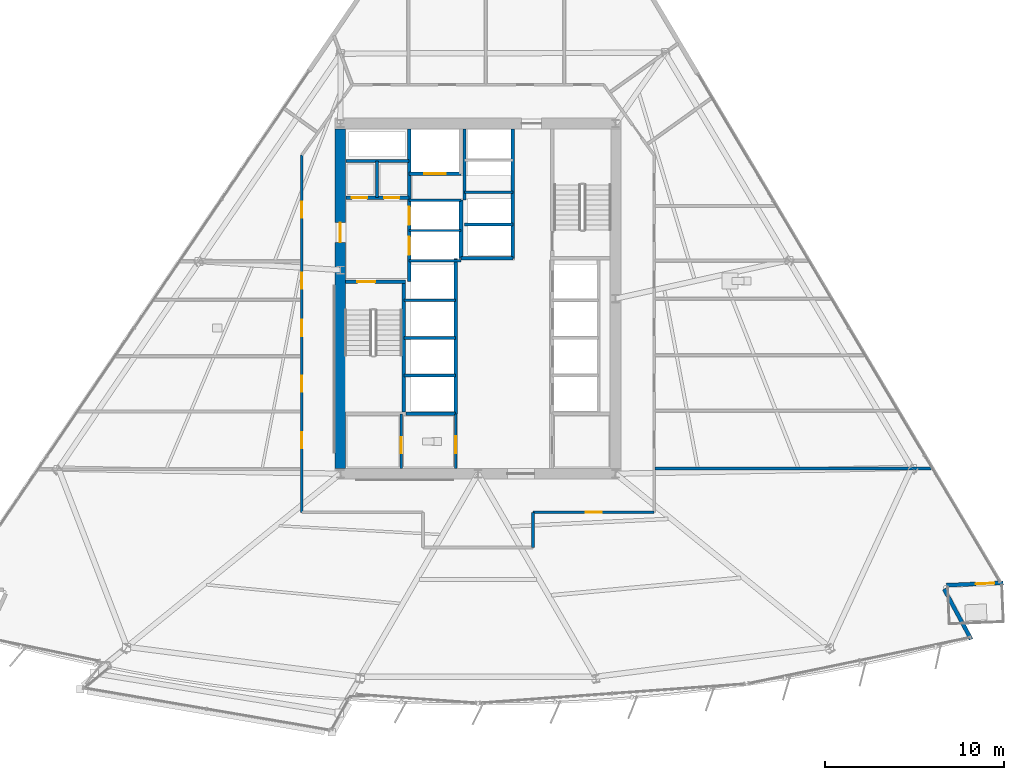
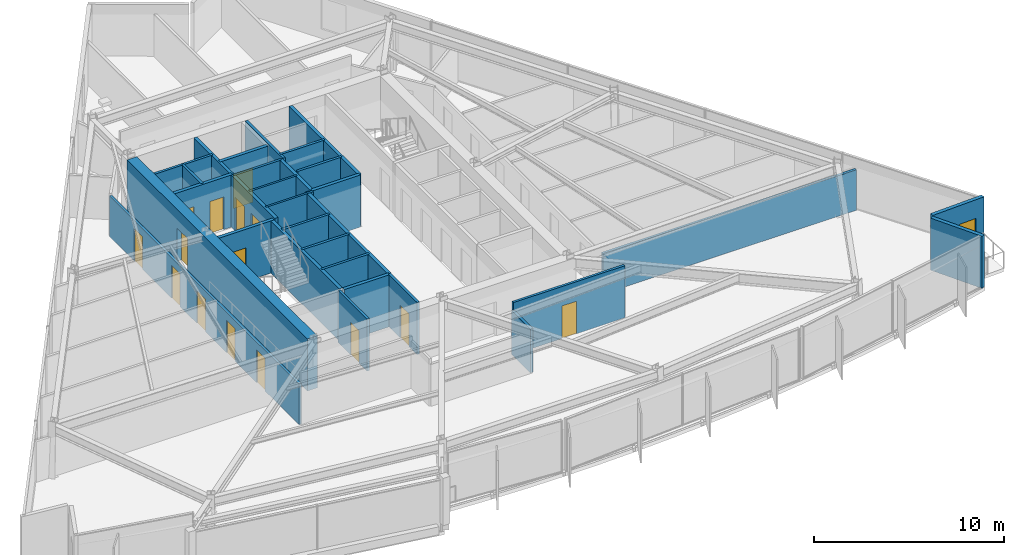
# One storey, part 9 of 17: 30 walls, 16 doors, 16 openings.
"""IFC4 building model written with IfcOpenShell, lengths in metres."""

from ifc_helpers import new_model, si_unit, direction, frame, frame_2d, origin, place, context, subcontext, project, spatial, rectangle, extrude, material, layer, layer_set, type_object, element, fill, save


model = new_model("IFC4")

# Units and contexts
model_context = context("Model", 3, precision=1e-05, world=origin(), true_north=direction((0.0, 1.0)))
body_context = subcontext(model_context, "Body", "Model", "MODEL_VIEW")
ifc_project = project(units=[si_unit("LENGTHUNIT", "METRE"), si_unit("AREAUNIT", "SQUARE_METRE"), si_unit("VOLUMEUNIT", "CUBIC_METRE"), si_unit("PLANEANGLEUNIT", "RADIAN"), si_unit("MASSUNIT", "GRAM", prefix="KILO")], contexts=[model_context])

# Site, building, storey
site_placement = place(None, origin())
site = spatial("IfcSite", under=ifc_project, at=site_placement, CompositionType="ELEMENT")
building_placement = place(site_placement, origin())
building = spatial("IfcBuilding", under=site, at=building_placement, Name="Savorim Split Tower", CompositionType="ELEMENT")
storey_placement = place(building_placement, frame((0.0, 0.0, 58.800048828125)))
storey = spatial("IfcBuildingStorey", under=building, at=storey_placement, Name="L15", CompositionType="ELEMENT", Elevation=58.800048828125)

# Wall, opening, door
ifc_material_1 = material(Name="Concrete C60/75", Category="concrete")
ifc_layer_1 = layer(ifc_material_1, 0.60009765625)
ifc_layer_set_1 = layer_set([ifc_layer_1], Name="WAL-COR-SH600")
wall_type_1 = type_object("IfcWallType", Name="WAL-COR-SH600", PredefinedType="SHEAR", material=ifc_layer_set_1)
wall_1_placement = place(storey_placement, frame((-7.699951171875, -9.10009765625, 0.0), z_axis=(0.0, 0.0, 1.0), x_axis=(0.0, 1.0, 0.0)))
wall_1 = element("IfcWall", 1, at=wall_1_placement, inside=storey, type_object=wall_type_1, Name="L15 Offset Core West Shear Wall", PredefinedType="SHEAR", context=body_context, shape_type="SweptSolid", body=[
    extrude(rectangle(XDim=19.0, YDim=0.60009765625, at=frame_2d((9.5, 0.0))), origin(), (0.0, 0.0, 1.0), 3.349853515625),
])
opening_1_placement = place(wall_1_placement, frame((12.64990234375, 0.0, 0.0)))
opening_1 = element("IfcOpeningElement", 2, at=opening_1_placement, cuts=wall_1, Name="Opening DI-03", PredefinedType="OPENING", context=body_context, shape_type="SweptSolid", body=[
    extrude(rectangle(XDim=1.10009765625, YDim=2.14990234375, at=frame_2d((0.550048828125, 1.074951171875))), frame((0.0, 0.31005859375, 0.0), z_axis=(0.0, -1.0, 0.0), x_axis=(1.0, 0.0, 0.0)), (0.0, 0.0, 1.0), 0.6201171875),
])
ifc_material_2 = material(Name="Timber Fire Door Leaf", Category="wood")
door_type_1 = type_object("IfcDoorType", Name="DOR-FIR-1100", OperationType="NOTDEFINED", PredefinedType="DOOR", material=ifc_material_2)
door_1_placement = place(opening_1_placement, origin())
door_1 = element("IfcDoor", 3, at=door_1_placement, inside=storey, type_object=door_type_1, Name="DOR-L15-COR-FFLOB - L15 Firefighting Lobby Corridor Door", OperationType="SINGLE_SWING_LEFT", OverallHeight=2.14990234375, OverallWidth=1.10009765625, PredefinedType="DOOR", context=body_context, shape_type="SweptSolid", body=[
    extrude(rectangle(XDim=1.10009765625, YDim=2.14990234375, at=frame_2d((0.550048828125, 1.074951171875))), frame((0.0, 0.02490234375, 0.0), z_axis=(0.0, -1.0, 0.0), x_axis=(1.0, 0.0, 0.0)), (0.0, 0.0, 1.0), 0.050048828125),
])
fill(opening_1, door_1)

# Wall
ifc_material_3 = material(Name="Precast concrete C40/50", Category="concrete")
ifc_layer_2 = layer(ifc_material_3, 0.219970703125)
ifc_layer_set_2 = layer_set([ifc_layer_2], Name="WAL-EXT-CRN220")
wall_type_2 = type_object("IfcWallType", Name="WAL-EXT-CRN220", PredefinedType="SOLIDWALL", material=ifc_layer_set_2)
wall_2_placement = place(storey_placement, frame((26.085693359375, -15.852294921875, 0.0), z_axis=(0.0, 0.0, 1.0), x_axis=(0.472775670204, -0.881182821929, 0.0)))
element("IfcWall", 4, at=wall_2_placement, inside=storey, type_object=wall_type_2, Name="L15 Notched Corner Facade Wall SE1", PredefinedType="SOLIDWALL", context=body_context, shape_type="SweptSolid", body=[
    extrude(rectangle(XDim=3.189697265625, YDim=0.219970703125, at=frame_2d((1.5947265625, 0.0))), origin(), (0.0, 0.0, 1.0), 3.349853515625),
])

# Wall, opening, door
wall_3_placement = place(storey_placement, frame((29.39111328125, -15.50341796875, 0.0), z_axis=(0.0, 0.0, 1.0), x_axis=(-0.999095632957, -0.042519597906, 0.0)))
wall_3 = element("IfcWall", 5, at=wall_3_placement, inside=storey, type_object=wall_type_2, Name="L15 Notched Corner Facade Wall SE", PredefinedType="SOLIDWALL", context=body_context, shape_type="SweptSolid", body=[
    extrude(rectangle(XDim=3.186767578125, YDim=0.219970703125, at=frame_2d((1.59326171875, 0.0))), origin(), (0.0, 0.0, 1.0), 3.349853515625),
])
opening_2_placement = place(wall_3_placement, frame((0.48828125, 0.0, 0.0)))
opening_2 = element("IfcOpeningElement", 6, at=opening_2_placement, cuts=wall_3, Name="Opening DB-01", PredefinedType="OPENING", context=body_context, shape_type="SweptSolid", body=[
    extrude(rectangle(XDim=1.050048828125, YDim=2.14990234375, at=frame_2d((0.52490234375, 1.074951171875))), frame((0.0, 0.119873046875, 0.0), z_axis=(0.0, -1.0, 0.0), x_axis=(1.0, 0.0, 0.0)), (0.0, 0.0, 1.0), 0.239990234375),
])
ifc_material_4 = material(Name="Charcoal Anodised Aluminium", Category="aluminium")
door_type_2 = type_object("IfcDoorType", Name="DOR-BAL-1050", OperationType="NOTDEFINED", PredefinedType="DOOR", material=ifc_material_4)
door_2_placement = place(opening_2_placement, origin())
door_2 = element("IfcDoor", 7, at=door_2_placement, inside=storey, type_object=door_type_2, Name="DOR-L15-TBAL-SE - L15 Planted Tree Balcony Door SE", OperationType="SINGLE_SWING_RIGHT", OverallHeight=2.14990234375, OverallWidth=1.050048828125, PredefinedType="DOOR", context=body_context, shape_type="SweptSolid", body=[
    extrude(rectangle(XDim=1.050048828125, YDim=2.14990234375, at=frame_2d((0.52490234375, 1.074951171875))), frame((0.0, 0.02490234375, 0.0), z_axis=(0.0, -1.0, 0.0), x_axis=(1.0, 0.0, 0.0)), (0.0, 0.0, 1.0), 0.050048828125),
])
fill(opening_2, door_2)

ifc_material_5 = material(Name="Concrete C50/60", Category="concrete")
ifc_layer_3 = layer(ifc_material_5, 0.199951171875)
ifc_layer_set_3 = layer_set([ifc_layer_3], Name="WAL-INT-RC200")
wall_type_3 = type_object("IfcWallType", Name="WAL-INT-RC200", PredefinedType="SOLIDWALL", material=ifc_layer_set_3)
wall_4_placement = place(storey_placement, frame((-7.39990234375, 1.35009765625, 0.0), z_axis=(0.0, 0.0, 1.0), x_axis=(1.0, 0.0, 0.0)))
wall_4 = element("IfcWall", 8, at=wall_4_placement, inside=storey, type_object=wall_type_3, Name="L15 Structural Shaft Wall W-L15-CR01", PredefinedType="SOLIDWALL", context=body_context, shape_type="SweptSolid", body=[
    extrude(rectangle(XDim=3.349853515625, YDim=0.199951171875, at=frame_2d((1.6748046875, 0.0))), origin(), (0.0, 0.0, 1.0), 3.349853515625),
])
opening_3_placement = place(wall_4_placement, frame((0.64990234375, 0.0, 0.0)))
opening_3 = element("IfcOpeningElement", 9, at=opening_3_placement, cuts=wall_4, Name="Opening DI-04", PredefinedType="OPENING", context=body_context, shape_type="SweptSolid", body=[
    extrude(rectangle(XDim=1.0, YDim=2.14990234375, at=frame_2d((0.5, 1.074951171875))), frame((0.0, 0.10986328125, 0.0), z_axis=(0.0, -1.0, 0.0), x_axis=(1.0, 0.0, 0.0)), (0.0, 0.0, 1.0), 0.219970703125),
])
door_type_3 = type_object("IfcDoorType", Name="DOR-FIR-1000", OperationType="NOTDEFINED", PredefinedType="DOOR", material=ifc_material_2)
door_3_placement = place(opening_3_placement, origin())
door_3 = element("IfcDoor", 10, at=door_3_placement, inside=storey, type_object=door_type_3, Name="DR-L15-ST1 - L15 Stair ST-1 Enclosure Door", OperationType="SINGLE_SWING_LEFT", OverallHeight=2.14990234375, OverallWidth=1.0, PredefinedType="DOOR", context=body_context, shape_type="SweptSolid", body=[
    extrude(rectangle(XDim=1.0, YDim=2.14990234375, at=frame_2d((0.5, 1.074951171875))), frame((0.0, 0.02490234375, 0.0), z_axis=(0.0, -1.0, 0.0), x_axis=(1.0, 0.0, 0.0)), (0.0, 0.0, 1.0), 0.050048828125),
])
fill(opening_3, door_3)

# Wall
wall_5_placement = place(storey_placement, frame((-4.14990234375, -5.949951171875, 0.0), z_axis=(0.0, 0.0, 1.0), x_axis=(0.0, 1.0, 0.0)))
element("IfcWall", 11, at=wall_5_placement, inside=storey, type_object=wall_type_3, Name="L15 Structural Shaft Wall W-L15-CR02", PredefinedType="SOLIDWALL", context=body_context, shape_type="SweptSolid", body=[
    extrude(rectangle(XDim=7.199951171875, YDim=0.199951171875, at=frame_2d((3.60009765625, 0.0))), origin(), (0.0, 0.0, 1.0), 3.349853515625),
])

# Wall, openings, doors
wall_6_placement = place(storey_placement, frame((-3.85009765625, 1.35009765625, 0.0), z_axis=(0.0, 0.0, 1.0), x_axis=(0.0, 1.0, 0.0)))
wall_6 = element("IfcWall", 12, at=wall_6_placement, inside=storey, type_object=wall_type_3, Name="L15 Partition W-L15-CR03", PredefinedType="SOLIDWALL", context=body_context, shape_type="SweptSolid", body=[
    extrude(rectangle(XDim=8.544921875, YDim=0.199951171875, at=frame_2d((4.2724609375, 0.0))), origin(), (0.0, 0.0, 1.0), 3.349853515625),
])
opening_4_placement = place(wall_6_placement, frame((1.5, 0.0, 0.0)))
opening_4 = element("IfcOpeningElement", 13, at=opening_4_placement, cuts=wall_6, Name="Opening LD-FFL", PredefinedType="OPENING", context=body_context, shape_type="SweptSolid", body=[
    extrude(rectangle(XDim=1.0, YDim=2.14990234375, at=frame_2d((0.5, 1.074951171875))), frame((0.0, 0.10986328125, 0.0), z_axis=(0.0, -1.0, 0.0), x_axis=(1.0, 0.0, 0.0)), (0.0, 0.0, 1.0), 0.219970703125),
])
opening_5_placement = place(wall_6_placement, frame((3.179931640625, 0.0, 0.0)))
opening_5 = element("IfcOpeningElement", 14, at=opening_5_placement, cuts=wall_6, Name="Opening LD-FFL", PredefinedType="OPENING", context=body_context, shape_type="SweptSolid", body=[
    extrude(rectangle(XDim=1.0, YDim=2.14990234375, at=frame_2d((0.5, 1.074951171875))), frame((0.0, 0.10986328125, 0.0), z_axis=(0.0, -1.0, 0.0), x_axis=(1.0, 0.0, 0.0)), (0.0, 0.0, 1.0), 0.219970703125),
])
door_type_4 = type_object("IfcDoorType", Name="DOR-SLD-LD1000", OperationType="NOTDEFINED", PredefinedType="DOOR", material=ifc_material_4)
door_4_placement = place(opening_4_placement, origin())
door_4 = element("IfcDoor", 15, at=door_4_placement, inside=storey, type_object=door_type_4, Name="DR-L15-LD-FFL1 - L15 Firefighting Lift FFL-1 Sliding Landing Door", OperationType="DOUBLE_DOOR_SLIDING", OverallHeight=2.14990234375, OverallWidth=1.0, PredefinedType="DOOR", context=body_context, shape_type="SweptSolid", body=[
    extrude(rectangle(XDim=1.0, YDim=2.14990234375, at=frame_2d((0.5, 1.074951171875))), frame((0.0, 0.02490234375, 0.0), z_axis=(0.0, -1.0, 0.0), x_axis=(1.0, 0.0, 0.0)), (0.0, 0.0, 1.0), 0.050048828125),
])
fill(opening_4, door_4)
door_5_placement = place(opening_5_placement, origin())
door_5 = element("IfcDoor", 16, at=door_5_placement, inside=storey, type_object=door_type_4, Name="DR-L15-LD-FFL2 - L15 Firefighting Lift FFL-2 Sliding Landing Door", OperationType="DOUBLE_DOOR_SLIDING", OverallHeight=2.14990234375, OverallWidth=1.0, PredefinedType="DOOR", context=body_context, shape_type="SweptSolid", body=[
    extrude(rectangle(XDim=1.0, YDim=2.14990234375, at=frame_2d((0.5, 1.074951171875))), frame((0.0, 0.02490234375, 0.0), z_axis=(0.0, -1.0, 0.0), x_axis=(1.0, 0.0, 0.0)), (0.0, 0.0, 1.0), 0.050048828125),
])
fill(opening_5, door_5)

wall_7_placement = place(storey_placement, frame((-7.39501953125, 6.050048828125, 0.0), z_axis=(0.0, 0.0, 1.0), x_axis=(1.0, 0.0, 0.0)))
wall_7 = element("IfcWall", 17, at=wall_7_placement, inside=storey, type_object=wall_type_3, Name="L15 Partition W-L15-CR04", PredefinedType="SOLIDWALL", context=body_context, shape_type="SweptSolid", body=[
    extrude(rectangle(XDim=3.544921875, YDim=0.199951171875, at=frame_2d((1.7724609375, 0.0))), origin(), (0.0, 0.0, 1.0), 3.349853515625),
])
opening_6_placement = place(wall_7_placement, frame((0.344970703125, 0.0, 0.0)))
opening_6 = element("IfcOpeningElement", 18, at=opening_6_placement, cuts=wall_7, Name="Opening DI-12", PredefinedType="OPENING", context=body_context, shape_type="SweptSolid", body=[
    extrude(rectangle(XDim=0.85009765625, YDim=2.10009765625, at=frame_2d((0.425048828125, 1.050048828125))), frame((0.0, 0.10986328125, 0.0), z_axis=(0.0, -1.0, 0.0), x_axis=(1.0, 0.0, 0.0)), (0.0, 0.0, 1.0), 0.219970703125),
])
opening_7_placement = place(wall_7_placement, frame((2.14501953125, 0.0, 0.0)))
opening_7 = element("IfcOpeningElement", 19, at=opening_7_placement, cuts=wall_7, Name="Opening DI-12", PredefinedType="OPENING", context=body_context, shape_type="SweptSolid", body=[
    extrude(rectangle(XDim=0.85009765625, YDim=2.10009765625, at=frame_2d((0.425048828125, 1.050048828125))), frame((0.0, 0.10986328125, 0.0), z_axis=(0.0, -1.0, 0.0), x_axis=(1.0, 0.0, 0.0)), (0.0, 0.0, 1.0), 0.219970703125),
])
ifc_material_6 = material(Name="Galvanised Painted Steel Balustrade", Category="steel")
door_type_5 = type_object("IfcDoorType", Name="DOR-RIS-850", OperationType="NOTDEFINED", PredefinedType="DOOR", material=ifc_material_6)
door_6_placement = place(opening_6_placement, origin())
door_6 = element("IfcDoor", 20, at=door_6_placement, inside=storey, type_object=door_type_5, Name="DR-L15-ELR - L15 Electrical Riser Access Door", OperationType="SINGLE_SWING_RIGHT", OverallHeight=2.10009765625, OverallWidth=0.85009765625, PredefinedType="DOOR", context=body_context, shape_type="SweptSolid", body=[
    extrude(rectangle(XDim=0.85009765625, YDim=2.10009765625, at=frame_2d((0.425048828125, 1.050048828125))), frame((0.0, 0.02490234375, 0.0), z_axis=(0.0, -1.0, 0.0), x_axis=(1.0, 0.0, 0.0)), (0.0, 0.0, 1.0), 0.050048828125),
])
fill(opening_6, door_6)
door_7_placement = place(opening_7_placement, origin())
door_7 = element("IfcDoor", 21, at=door_7_placement, inside=storey, type_object=door_type_5, Name="DR-L15-TLR - L15 Telecom Riser Access Door", OperationType="SINGLE_SWING_LEFT", OverallHeight=2.10009765625, OverallWidth=0.85009765625, PredefinedType="DOOR", context=body_context, shape_type="SweptSolid", body=[
    extrude(rectangle(XDim=0.85009765625, YDim=2.10009765625, at=frame_2d((0.425048828125, 1.050048828125))), frame((0.0, 0.02490234375, 0.0), z_axis=(0.0, -1.0, 0.0), x_axis=(1.0, 0.0, 0.0)), (0.0, 0.0, 1.0), 0.050048828125),
])
fill(opening_7, door_7)

# Wall
wall_8_placement = place(storey_placement, frame((-0.949951171875, 2.64990234375, 0.0), z_axis=(0.0, 0.0, 1.0), x_axis=(0.0, 1.0, 0.0)))
element("IfcWall", 22, at=wall_8_placement, inside=storey, type_object=wall_type_3, Name="L15 Partition W-L15-FFLW", PredefinedType="SOLIDWALL", context=body_context, shape_type="SweptSolid", body=[
    extrude(rectangle(XDim=3.27001953125, YDim=0.199951171875, at=frame_2d((1.635009765625, 0.0))), origin(), (0.0, 0.0, 1.0), 3.349853515625),
])

# Wall, opening, door
wall_9_placement = place(storey_placement, frame((-3.85009765625, 7.3798828125, 0.0), z_axis=(0.0, 0.0, 1.0), x_axis=(1.0, 0.0, 0.0)))
wall_9 = element("IfcWall", 23, at=wall_9_placement, inside=storey, type_object=wall_type_3, Name="L15 Partition W-L15-SVLS", PredefinedType="SOLIDWALL", context=body_context, shape_type="SweptSolid", body=[
    extrude(rectangle(XDim=2.900146484375, YDim=0.199951171875, at=frame_2d((1.4501953125, 0.0))), origin(), (0.0, 0.0, 1.0), 3.349853515625),
])
opening_8_placement = place(wall_9_placement, frame((0.85009765625, 0.0, 0.0)))
opening_8 = element("IfcOpeningElement", 24, at=opening_8_placement, cuts=wall_9, Name="Opening LD-SV", PredefinedType="OPENING", context=body_context, shape_type="SweptSolid", body=[
    extrude(rectangle(XDim=1.199951171875, YDim=2.199951171875, at=frame_2d((0.60009765625, 1.10009765625))), frame((0.0, 0.10986328125, 0.0), z_axis=(0.0, -1.0, 0.0), x_axis=(1.0, 0.0, 0.0)), (0.0, 0.0, 1.0), 0.219970703125),
])
door_type_6 = type_object("IfcDoorType", Name="DOR-SLD-SV1200", OperationType="NOTDEFINED", PredefinedType="DOOR", material=ifc_material_4)
door_8_placement = place(opening_8_placement, origin())
door_8 = element("IfcDoor", 25, at=door_8_placement, inside=storey, type_object=door_type_6, Name="DR-L15-LD-SVL1 - L15 Service Lift SVL-1 Sliding Landing Door", OperationType="DOUBLE_DOOR_SLIDING", OverallHeight=2.199951171875, OverallWidth=1.199951171875, PredefinedType="DOOR", context=body_context, shape_type="SweptSolid", body=[
    extrude(rectangle(XDim=1.199951171875, YDim=2.199951171875, at=frame_2d((0.60009765625, 1.10009765625))), frame((0.0, 0.02490234375, 0.0), z_axis=(0.0, -1.0, 0.0), x_axis=(1.0, 0.0, 0.0)), (0.0, 0.0, 1.0), 0.050048828125),
])
fill(opening_8, door_8)

# Walls
wall_10_placement = place(storey_placement, frame((-1.25, -6.050048828125, 0.0), z_axis=(0.0, 0.0, 1.0), x_axis=(0.0, 1.0, 0.0)))
element("IfcWall", 26, at=wall_10_placement, inside=storey, type_object=wall_type_3, Name="L15 Partition W-L15-B2FRONT", PredefinedType="SOLIDWALL", context=body_context, shape_type="SweptSolid", body=[
    extrude(rectangle(XDim=8.699951171875, YDim=0.199951171875, at=frame_2d((4.35009765625, 0.0))), origin(), (0.0, 0.0, 1.0), 3.349853515625),
])
wall_11_placement = place(storey_placement, frame((1.949951171875, 2.64990234375, 0.0), z_axis=(0.0, 0.0, 1.0), x_axis=(0.0, 1.0, 0.0)))
element("IfcWall", 27, at=wall_11_placement, inside=storey, type_object=wall_type_3, Name="L15 Partition W-L15-B3FRONT", PredefinedType="SOLIDWALL", context=body_context, shape_type="SweptSolid", body=[
    extrude(rectangle(XDim=7.2451171875, YDim=0.199951171875, at=frame_2d((3.62255859375, 0.0))), origin(), (0.0, 0.0, 1.0), 3.349853515625),
])
wall_12_placement = place(storey_placement, frame((-0.949951171875, 2.64990234375, 0.0), z_axis=(0.0, 0.0, 1.0), x_axis=(1.0, 0.0, 0.0)))
element("IfcWall", 28, at=wall_12_placement, inside=storey, type_object=wall_type_3, Name="L15 Partition W-L15-B3SOUTH", PredefinedType="SOLIDWALL", context=body_context, shape_type="SweptSolid", body=[
    extrude(rectangle(XDim=2.89990234375, YDim=0.199951171875, at=frame_2d((1.449951171875, 0.0))), origin(), (0.0, 0.0, 1.0), 3.349853515625),
])
wall_13_placement = place(storey_placement, frame((-4.0400390625, -6.050048828125, 0.0), z_axis=(0.0, 0.0, 1.0), x_axis=(1.0, 0.0, 0.0)))
element("IfcWall", 29, at=wall_13_placement, inside=storey, type_object=wall_type_3, Name="L15 Partition W-L15-KSEP-W2", PredefinedType="SOLIDWALL", context=body_context, shape_type="SweptSolid", body=[
    extrude(rectangle(XDim=2.7900390625, YDim=0.199951171875, at=frame_2d((1.39501953125, 0.0))), origin(), (0.0, 0.0, 1.0), 3.349853515625),
])
ifc_material_7 = material(Name="Acoustic Gypsum Partition Board")
ifc_layer_4 = layer(ifc_material_7, 0.1201171875)
ifc_layer_set_4 = layer_set([ifc_layer_4], Name="WAL-PAR-120")
wall_type_4 = type_object("IfcWallType", Name="WAL-PAR-120", PredefinedType="PARTITIONING", material=ifc_layer_set_4)
for number, where, z_axis, x_axis, name in (
    (30, (-3.85009765625, 2.52001953125, 0.0), (0.0, 0.0, 1.0), (1.0, 0.0, 0.0), "L15 Partition W-L15-FFLD0"),
    (31, (-3.85009765625, 4.219970703125, 0.0), (0.0, 0.0, 1.0), (1.0, 0.0, 0.0), "L15 Partition W-L15-FFLD1"),
):
    element("IfcWall", number, at=place(storey_placement, frame(where, z_axis=z_axis, x_axis=x_axis)), inside=storey, type_object=wall_type_4, Name=name, PredefinedType="PARTITIONING", context=body_context, shape_type="SweptSolid", body=[
        extrude(rectangle(XDim=2.900146484375, YDim=0.1201171875, at=frame_2d((1.4501953125, 0.0))), origin(), (0.0, 0.0, 1.0), 3.349853515625),
    ])
ifc_layer_5 = layer(ifc_material_7, 0.14990234375)
ifc_layer_set_5 = layer_set([ifc_layer_5], Name="WAL-PAR-150")
wall_type_5 = type_object("IfcWallType", Name="WAL-PAR-150", PredefinedType="PARTITIONING", material=ifc_layer_set_5)
wall_14_placement = place(storey_placement, frame((-7.39501953125, 8.10009765625, 0.0), z_axis=(0.0, 0.0, 1.0), x_axis=(1.0, 0.0, 0.0)))
element("IfcWall", 32, at=wall_14_placement, inside=storey, type_object=wall_type_5, Name="L15 Partition W-L15-CR05", PredefinedType="PARTITIONING", context=body_context, shape_type="SweptSolid", body=[
    extrude(rectangle(XDim=3.544921875, YDim=0.14990234375, at=frame_2d((1.7724609375, 0.0))), origin(), (0.0, 0.0, 1.0), 3.349853515625),
])
wall_15_placement = place(storey_placement, frame((-5.64990234375, 6.050048828125, 0.0), z_axis=(0.0, 0.0, 1.0), x_axis=(0.0, 1.0, 0.0)))
element("IfcWall", 33, at=wall_15_placement, inside=storey, type_object=wall_type_5, Name="L15 Partition W-L15-CR06", PredefinedType="PARTITIONING", context=body_context, shape_type="SweptSolid", body=[
    extrude(rectangle(XDim=2.050048828125, YDim=0.14990234375, at=frame_2d((1.02490234375, 0.0))), origin(), (0.0, 0.0, 1.0), 3.349853515625),
])
wall_16_placement = place(storey_placement, frame((-3.85009765625, 5.89990234375, 0.0), z_axis=(0.0, 0.0, 1.0), x_axis=(1.0, 0.0, 0.0)))
element("IfcWall", 34, at=wall_16_placement, inside=storey, type_object=wall_type_5, Name="L15 Partition W-L15-FFLD2", PredefinedType="PARTITIONING", context=body_context, shape_type="SweptSolid", body=[
    extrude(rectangle(XDim=2.900146484375, YDim=0.14990234375, at=frame_2d((1.4501953125, 0.0))), origin(), (0.0, 0.0, 1.0), 3.349853515625),
])
for number, where, z_axis, x_axis, name in (
    (35, (-4.14990234375, -3.89990234375, 0.0), (0.0, 0.0, 1.0), (1.0, 0.0, 0.0), "L15 Partition W-L15-B2DIV1"),
    (36, (-4.14990234375, -1.800048828125, 0.0), (0.0, 0.0, 1.0), (1.0, 0.0, 0.0), "L15 Partition W-L15-B2DIV2"),
    (37, (-4.14990234375, 0.300048828125, 0.0), (0.0, 0.0, 1.0), (1.0, 0.0, 0.0), "L15 Partition W-L15-B2DIV3"),
):
    element("IfcWall", number, at=place(storey_placement, frame(where, z_axis=z_axis, x_axis=x_axis)), inside=storey, type_object=wall_type_5, Name=name, PredefinedType="PARTITIONING", context=body_context, shape_type="SweptSolid", body=[
        extrude(rectangle(XDim=2.89990234375, YDim=0.14990234375, at=frame_2d((1.449951171875, 0.0))), origin(), (0.0, 0.0, 1.0), 3.349853515625),
    ])
wall_17_placement = place(storey_placement, frame((-0.75, 5.919921875, 0.0), z_axis=(0.0, 0.0, 1.0), x_axis=(0.0, 1.0, 0.0)))
element("IfcWall", 38, at=wall_17_placement, inside=storey, type_object=wall_type_5, Name="L15 Partition W-L15-B3WEST", PredefinedType="PARTITIONING", context=body_context, shape_type="SweptSolid", body=[
    extrude(rectangle(XDim=3.97509765625, YDim=0.14990234375, at=frame_2d((1.987548828125, 0.0))), origin(), (0.0, 0.0, 1.0), 3.349853515625),
])
for number, where, z_axis, x_axis, name in (
    (39, (-0.75, 4.550048828125, 0.0), (0.0, 0.0, 1.0), (1.0, 0.0, 0.0), "L15 Partition W-L15-B3DIV1"),
    (40, (-0.75, 6.35009765625, 0.0), (0.0, 0.0, 1.0), (1.0, 0.0, 0.0), "L15 Partition W-L15-B3DIV2"),
):
    element("IfcWall", number, at=place(storey_placement, frame(where, z_axis=z_axis, x_axis=x_axis)), inside=storey, type_object=wall_type_5, Name=name, PredefinedType="PARTITIONING", context=body_context, shape_type="SweptSolid", body=[
        extrude(rectangle(XDim=2.699951171875, YDim=0.14990234375, at=frame_2d((1.35009765625, 0.0))), origin(), (0.0, 0.0, 1.0), 3.349853515625),
    ])

# Wall, opening, door
wall_18_placement = place(storey_placement, frame((-1.25, -9.094970703125, 0.0), z_axis=(0.0, 0.0, 1.0), x_axis=(0.0, 1.0, 0.0)))
wall_18 = element("IfcWall", 41, at=wall_18_placement, inside=storey, type_object=wall_type_5, Name="L15 Partition W-L15-KLOB-W", PredefinedType="PARTITIONING", context=body_context, shape_type="SweptSolid", body=[
    extrude(rectangle(XDim=3.044921875, YDim=0.14990234375, at=frame_2d((1.5224609375, 0.0))), origin(), (0.0, 0.0, 1.0), 3.349853515625),
])
opening_9_placement = place(wall_18_placement, frame((0.844970703125, 0.0, 0.0)))
opening_9 = element("IfcOpeningElement", 42, at=opening_9_placement, cuts=wall_18, Name="Opening DI-10", PredefinedType="OPENING", context=body_context, shape_type="SweptSolid", body=[
    extrude(rectangle(XDim=0.949951171875, YDim=2.10009765625, at=frame_2d((0.47509765625, 1.050048828125))), frame((0.0, 0.0849609375, 0.0), z_axis=(0.0, -1.0, 0.0), x_axis=(1.0, 0.0, 0.0)), (0.0, 0.0, 1.0), 0.169921875),
])
ifc_material_8 = material(Name="Oak Veneer Acoustic Door")
door_type_7 = type_object("IfcDoorType", Name="DOR-WC-950", OperationType="NOTDEFINED", PredefinedType="DOOR", material=ifc_material_8)
door_9_placement = place(opening_9_placement, origin())
door_9 = element("IfcDoor", 43, at=door_9_placement, inside=storey, type_object=door_type_7, Name="DR-L15-K1WC - L15 Core Accessible WC Door", OperationType="SINGLE_SWING_LEFT", OverallHeight=2.10009765625, OverallWidth=0.949951171875, PredefinedType="DOOR", context=body_context, shape_type="SweptSolid", body=[
    extrude(rectangle(XDim=0.949951171875, YDim=2.10009765625, at=frame_2d((0.47509765625, 1.050048828125))), frame((0.0, 0.02490234375, 0.0), z_axis=(0.0, -1.0, 0.0), x_axis=(1.0, 0.0, 0.0)), (0.0, 0.0, 1.0), 0.050048828125),
])
fill(opening_9, door_9)

wall_19_placement = place(storey_placement, frame((-4.300048828125, -9.094970703125, 0.0), z_axis=(0.0, 0.0, 1.0), x_axis=(0.0, 1.0, 0.0)))
wall_19 = element("IfcWall", 44, at=wall_19_placement, inside=storey, type_object=wall_type_5, Name="L15 Partition W-L15-K1W", PredefinedType="PARTITIONING", context=body_context, shape_type="SweptSolid", body=[
    extrude(rectangle(XDim=3.044921875, YDim=0.14990234375, at=frame_2d((1.5224609375, 0.0))), origin(), (0.0, 0.0, 1.0), 3.349853515625),
])
opening_10_placement = place(wall_19_placement, frame((0.844970703125, 0.0, 0.0)))
opening_10 = element("IfcOpeningElement", 45, at=opening_10_placement, cuts=wall_19, Name="Opening DI-06", PredefinedType="OPENING", context=body_context, shape_type="SweptSolid", body=[
    extrude(rectangle(XDim=0.89990234375, YDim=2.10009765625, at=frame_2d((0.449951171875, 1.050048828125))), frame((0.0, 0.0849609375, 0.0), z_axis=(0.0, -1.0, 0.0), x_axis=(1.0, 0.0, 0.0)), (0.0, 0.0, 1.0), 0.169921875),
])
door_type_8 = type_object("IfcDoorType", Name="DOR-FIR-900", OperationType="NOTDEFINED", PredefinedType="DOOR", material=ifc_material_2)
door_10_placement = place(opening_10_placement, origin())
door_10 = element("IfcDoor", 46, at=door_10_placement, inside=storey, type_object=door_type_8, Name="DR-L15-K1HK - L15 Housekeeping Store Door", OperationType="SINGLE_SWING_RIGHT", OverallHeight=2.10009765625, OverallWidth=0.89990234375, PredefinedType="DOOR", context=body_context, shape_type="SweptSolid", body=[
    extrude(rectangle(XDim=0.89990234375, YDim=2.10009765625, at=frame_2d((0.449951171875, 1.050048828125))), frame((0.0, 0.02490234375, 0.0), z_axis=(0.0, -1.0, 0.0), x_axis=(1.0, 0.0, 0.0)), (0.0, 0.0, 1.0), 0.050048828125),
])
fill(opening_10, door_10)

# Wall, openings, doors
wall_20_placement = place(storey_placement, frame((-9.860107421875, -11.56005859375, 0.0), z_axis=(0.0, 0.0, 1.0), x_axis=(0.0, 1.0, 0.0)))
wall_20 = element("IfcWall", 47, at=wall_20_placement, inside=storey, type_object=wall_type_5, Name="L15 Partition W-L15-COR-01", PredefinedType="PARTITIONING", context=body_context, shape_type="SweptSolid", body=[
    extrude(rectangle(XDim=19.98583984375, YDim=0.14990234375, at=frame_2d((9.992919921875, 0.0))), origin(), (0.0, 0.0, 1.0), 2.60888671875),
])
opening_11_placement = place(wall_20_placement, frame((9.86669921875, 0.0, 0.0)))
opening_11 = element("IfcOpeningElement", 48, at=opening_11_placement, cuts=wall_20, Name="Opening DI-06", PredefinedType="OPENING", context=body_context, shape_type="SweptSolid", body=[
    extrude(rectangle(XDim=0.89990234375, YDim=2.10009765625, at=frame_2d((0.449951171875, 1.050048828125))), frame((0.0, 0.0849609375, 0.0), z_axis=(0.0, -1.0, 0.0), x_axis=(1.0, 0.0, 0.0)), (0.0, 0.0, 1.0), 0.169921875),
])
opening_12_placement = place(wall_20_placement, frame((6.737548828125, 0.0, 0.0)))
opening_12 = element("IfcOpeningElement", 49, at=opening_12_placement, cuts=wall_20, Name="Opening DI-06", PredefinedType="OPENING", context=body_context, shape_type="SweptSolid", body=[
    extrude(rectangle(XDim=0.89990234375, YDim=2.10009765625, at=frame_2d((0.449951171875, 1.050048828125))), frame((0.0, 0.0849609375, 0.0), z_axis=(0.0, -1.0, 0.0), x_axis=(1.0, 0.0, 0.0)), (0.0, 0.0, 1.0), 0.169921875),
])
opening_13_placement = place(wall_20_placement, frame((3.572998046875, 0.0, 0.0)))
opening_13 = element("IfcOpeningElement", 50, at=opening_13_placement, cuts=wall_20, Name="Opening DI-06", PredefinedType="OPENING", context=body_context, shape_type="SweptSolid", body=[
    extrude(rectangle(XDim=0.89990234375, YDim=2.10009765625, at=frame_2d((0.449951171875, 1.050048828125))), frame((0.0, 0.0849609375, 0.0), z_axis=(0.0, -1.0, 0.0), x_axis=(1.0, 0.0, 0.0)), (0.0, 0.0, 1.0), 0.169921875),
])
opening_14_placement = place(wall_20_placement, frame((16.4736328125, 0.0, 0.0)))
opening_14 = element("IfcOpeningElement", 51, at=opening_14_placement, cuts=wall_20, Name="Opening DI-06", PredefinedType="OPENING", context=body_context, shape_type="SweptSolid", body=[
    extrude(rectangle(XDim=0.89990234375, YDim=2.10009765625, at=frame_2d((0.449951171875, 1.050048828125))), frame((0.0, 0.0849609375, 0.0), z_axis=(0.0, -1.0, 0.0), x_axis=(1.0, 0.0, 0.0)), (0.0, 0.0, 1.0), 0.169921875),
])
opening_15_placement = place(wall_20_placement, frame((12.51953125, 0.0, 0.0)))
opening_15 = element("IfcOpeningElement", 52, at=opening_15_placement, cuts=wall_20, Name="Opening DI-06", PredefinedType="OPENING", context=body_context, shape_type="SweptSolid", body=[
    extrude(rectangle(XDim=0.89990234375, YDim=2.10009765625, at=frame_2d((0.449951171875, 1.050048828125))), frame((0.0, 0.0849609375, 0.0), z_axis=(0.0, -1.0, 0.0), x_axis=(1.0, 0.0, 0.0)), (0.0, 0.0, 1.0), 0.169921875),
])
door_11_placement = place(opening_11_placement, origin())
door_11 = element("IfcDoor", 53, at=door_11_placement, inside=storey, type_object=door_type_8, Name="DR-L15-RM01 - L15 Shared Kitchen Entry Door", OperationType="SINGLE_SWING_RIGHT", OverallHeight=2.10009765625, OverallWidth=0.89990234375, PredefinedType="DOOR", context=body_context, shape_type="SweptSolid", body=[
    extrude(rectangle(XDim=0.89990234375, YDim=2.10009765625, at=frame_2d((0.449951171875, 1.050048828125))), frame((0.0, 0.02490234375, 0.0), z_axis=(0.0, -1.0, 0.0), x_axis=(1.0, 0.0, 0.0)), (0.0, 0.0, 1.0), 0.050048828125),
])
fill(opening_11, door_11)
door_12_placement = place(opening_12_placement, origin())
door_12 = element("IfcDoor", 54, at=door_12_placement, inside=storey, type_object=door_type_8, Name="DR-L15-RM02 - L15 Maker Workshop Entry Door", OperationType="SINGLE_SWING_LEFT", OverallHeight=2.10009765625, OverallWidth=0.89990234375, PredefinedType="DOOR", context=body_context, shape_type="SweptSolid", body=[
    extrude(rectangle(XDim=0.89990234375, YDim=2.10009765625, at=frame_2d((0.449951171875, 1.050048828125))), frame((0.0, 0.02490234375, 0.0), z_axis=(0.0, -1.0, 0.0), x_axis=(1.0, 0.0, 0.0)), (0.0, 0.0, 1.0), 0.050048828125),
])
fill(opening_12, door_12)
door_13_placement = place(opening_13_placement, origin())
door_13 = element("IfcDoor", 55, at=door_13_placement, inside=storey, type_object=door_type_8, Name="DR-L15-RM03 - L15 Maker Workshop Entry Door", OperationType="SINGLE_SWING_RIGHT", OverallHeight=2.10009765625, OverallWidth=0.89990234375, PredefinedType="DOOR", context=body_context, shape_type="SweptSolid", body=[
    extrude(rectangle(XDim=0.89990234375, YDim=2.10009765625, at=frame_2d((0.449951171875, 1.050048828125))), frame((0.0, 0.02490234375, 0.0), z_axis=(0.0, -1.0, 0.0), x_axis=(1.0, 0.0, 0.0)), (0.0, 0.0, 1.0), 0.050048828125),
])
fill(opening_13, door_13)
door_14_placement = place(opening_14_placement, origin())
door_14 = element("IfcDoor", 56, at=door_14_placement, inside=storey, type_object=door_type_8, Name="DR-L15-RM17 - L15 Maker Workshop Entry Door", OperationType="SINGLE_SWING_RIGHT", OverallHeight=2.10009765625, OverallWidth=0.89990234375, PredefinedType="DOOR", context=body_context, shape_type="SweptSolid", body=[
    extrude(rectangle(XDim=0.89990234375, YDim=2.10009765625, at=frame_2d((0.449951171875, 1.050048828125))), frame((0.0, 0.02490234375, 0.0), z_axis=(0.0, -1.0, 0.0), x_axis=(1.0, 0.0, 0.0)), (0.0, 0.0, 1.0), 0.050048828125),
])
fill(opening_14, door_14)
door_15_placement = place(opening_15_placement, origin())
door_15 = element("IfcDoor", 57, at=door_15_placement, inside=storey, type_object=door_type_8, Name="DR-L15-RM18 - L15 Maker Workshop Entry Door", OperationType="SINGLE_SWING_LEFT", OverallHeight=2.10009765625, OverallWidth=0.89990234375, PredefinedType="DOOR", context=body_context, shape_type="SweptSolid", body=[
    extrude(rectangle(XDim=0.89990234375, YDim=2.10009765625, at=frame_2d((0.449951171875, 1.050048828125))), frame((0.0, 0.02490234375, 0.0), z_axis=(0.0, -1.0, 0.0), x_axis=(1.0, 0.0, 0.0)), (0.0, 0.0, 1.0), 0.050048828125),
])
fill(opening_15, door_15)

# Wall, opening, door
wall_21_placement = place(storey_placement, frame((9.860107421875, -11.56005859375, 0.0), z_axis=(0.0, 0.0, 1.0), x_axis=(-1.0, 0.0, 0.0)))
wall_21 = element("IfcWall", 58, at=wall_21_placement, inside=storey, type_object=wall_type_5, Name="L15 Partition W-L15-COR-06", PredefinedType="PARTITIONING", context=body_context, shape_type="SweptSolid", body=[
    extrude(rectangle(XDim=6.780029296875, YDim=0.14990234375, at=frame_2d((3.39013671875, 0.0))), origin(), (0.0, 0.0, 1.0), 3.349853515625),
])
opening_16_placement = place(wall_21_placement, frame((2.93994140625, 0.0, 0.0)))
opening_16 = element("IfcOpeningElement", 59, at=opening_16_placement, cuts=wall_21, Name="Opening DI-06", PredefinedType="OPENING", context=body_context, shape_type="SweptSolid", body=[
    extrude(rectangle(XDim=0.89990234375, YDim=2.10009765625, at=frame_2d((0.449951171875, 1.050048828125))), frame((0.0, 0.0849609375, 0.0), z_axis=(0.0, -1.0, 0.0), x_axis=(1.0, 0.0, 0.0)), (0.0, 0.0, 1.0), 0.169921875),
])
door_16_placement = place(opening_16_placement, origin())
door_16 = element("IfcDoor", 60, at=door_16_placement, inside=storey, type_object=door_type_8, Name="DR-L15-RM04 - L15 Maker Workshop Entry Door", OperationType="SINGLE_SWING_LEFT", OverallHeight=2.10009765625, OverallWidth=0.89990234375, PredefinedType="DOOR", context=body_context, shape_type="SweptSolid", body=[
    extrude(rectangle(XDim=0.89990234375, YDim=2.10009765625, at=frame_2d((0.449951171875, 1.050048828125))), frame((0.0, 0.02490234375, 0.0), z_axis=(0.0, -1.0, 0.0), x_axis=(1.0, 0.0, 0.0)), (0.0, 0.0, 1.0), 0.050048828125),
])
fill(opening_16, door_16)

# Walls
wall_22_placement = place(storey_placement, frame((3.080078125, -11.56005859375, 0.0), z_axis=(0.0, 0.0, 1.0), x_axis=(0.0, -1.0, 0.0)))
element("IfcWall", 61, at=wall_22_placement, inside=storey, type_object=wall_type_5, Name="L15 Partition W-L15-COR-07", PredefinedType="PARTITIONING", context=body_context, shape_type="SweptSolid", body=[
    extrude(rectangle(XDim=1.969970703125, YDim=0.14990234375, at=frame_2d((0.98486328125, 0.0))), origin(), (0.0, 0.0, 1.0), 2.824951171875),
])
wall_23_placement = place(storey_placement, frame((9.919921875, -9.10595703125, 0.0), z_axis=(0.0, 0.0, 1.0), x_axis=(1.0, 0.0, 0.0)))
element("IfcWall", 62, at=wall_23_placement, inside=storey, type_object=wall_type_5, Name="L15 Partition W-L15-PRAD05", PredefinedType="PARTITIONING", context=body_context, shape_type="SweptSolid", body=[
    extrude(rectangle(XDim=15.444091796875, YDim=0.14990234375, at=frame_2d((7.72216796875, 0.0))), origin(), (0.0, 0.0, 1.0), 2.60888671875),
])

save(model, "model.ifc")
